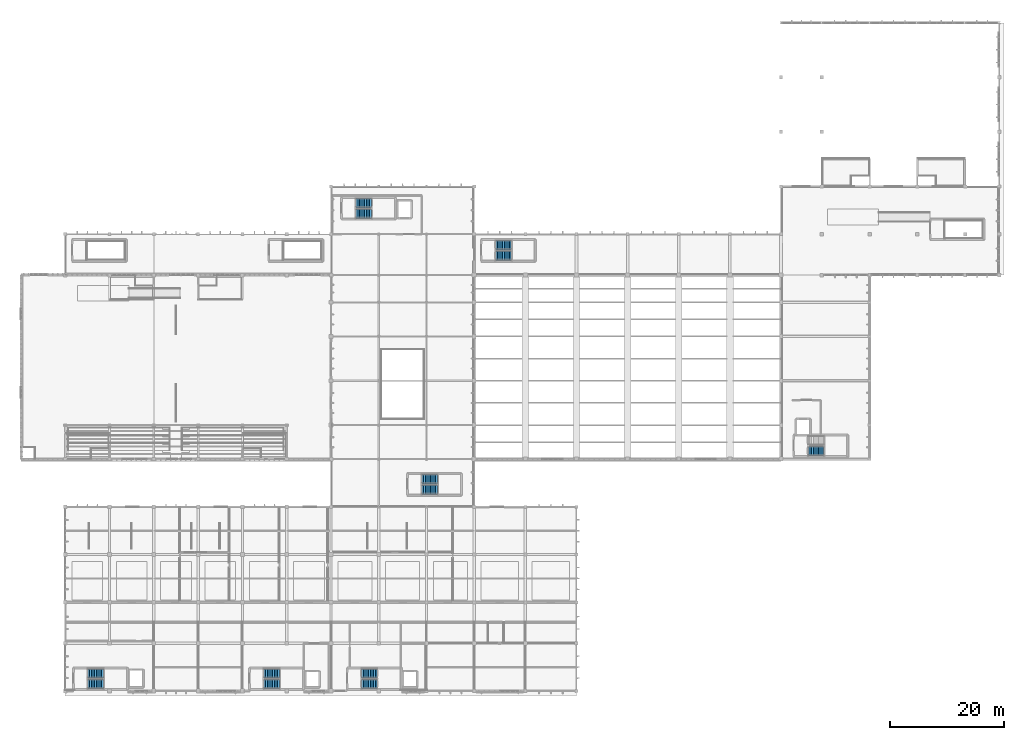
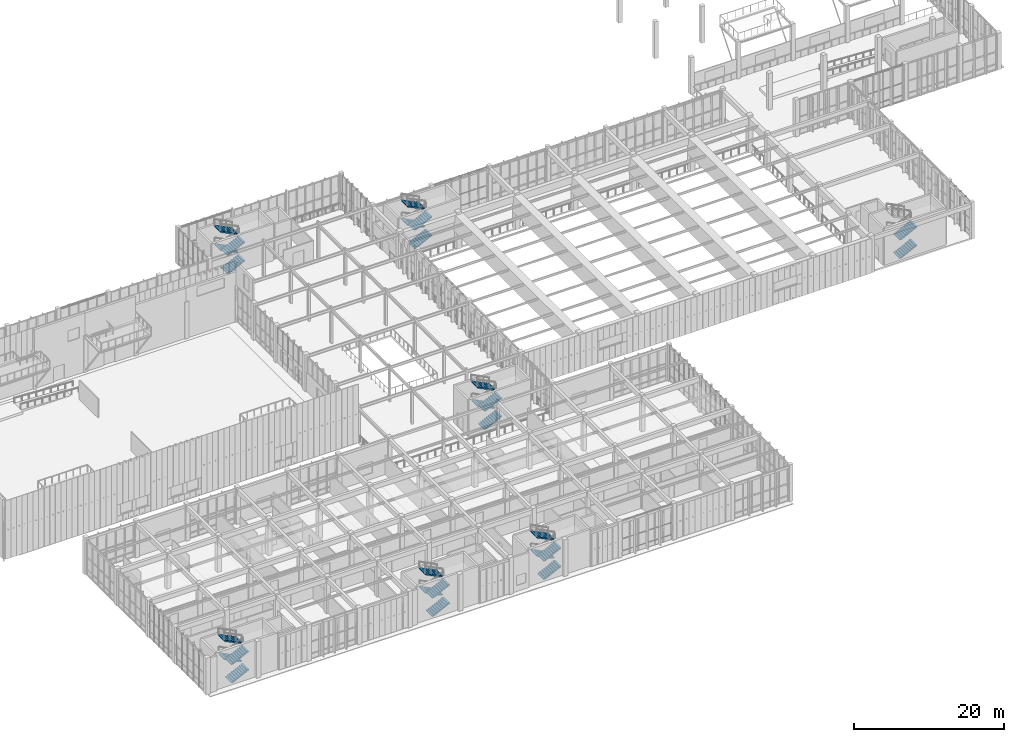
# One storey, part 78 of 105: 26 stair flights, 7 elements without a shape of their own.
"""IFC4 building model written with IfcOpenShell, lengths in metres."""

from ifc_helpers import new_model, si_unit, direction, frame, origin, place, context, subcontext, project, spatial, polyline, outline, extrude, material, type_object, element, aggregate, save


model = new_model("IFC4")

# Units and contexts
model_context = context("Model", 3, precision=1e-05, world=origin(), true_north=direction((0.0, 1.0)))
body_context = subcontext(model_context, "Body", "Model", "MODEL_VIEW")
ifc_project = project(units=[si_unit("LENGTHUNIT", "METRE"), si_unit("AREAUNIT", "SQUARE_METRE"), si_unit("VOLUMEUNIT", "CUBIC_METRE"), si_unit("PLANEANGLEUNIT", "RADIAN"), si_unit("MASSUNIT", "GRAM", prefix="KILO")], contexts=[model_context])

# Site, building, storey
site_placement = place(None, origin())
site = spatial("IfcSite", under=ifc_project, at=site_placement, CompositionType="ELEMENT")
building_placement = place(site_placement, origin())
building = spatial("IfcBuilding", under=site, at=building_placement, Name="Tizgana Railside Sports Hall", CompositionType="ELEMENT")
storey_placement = place(building_placement, frame((0.0, 0.0, 6.0)))
storey = spatial("IfcBuildingStorey", under=building, at=storey_placement, Name="L01", CompositionType="ELEMENT", Elevation=6.0)

# Stair, stair flights
ifc_material = material(Name="Concrete C35/45", Category="concrete")
stair_type_1 = type_object("IfcStairType", Name="Core Protected Stair 1500", PredefinedType="HALF_TURN_STAIR", material=ifc_material)
stair_1_placement = place(storey_placement, origin())
stair_1 = element("IfcStair", 1, at=stair_1_placement, inside=storey, type_object=stair_type_1, Name="L01 Core Stair ST-01", PredefinedType="HALF_TURN_STAIR")
stair_flight_type_1 = type_object("IfcStairFlightType", Name="Core Stair Flight 1500", PredefinedType="STRAIGHT", material=ifc_material)
stair_flight_1_placement = place(storey_placement, frame((11.800048828125, 1.22509765625, 0.0), z_axis=(0.0, 0.0, 1.0), x_axis=(1.0, 0.0, 0.0)))
stair_flight_1 = element("IfcStairFlight", 2, at=stair_flight_1_placement, type_object=stair_flight_type_1, Name="ST-01 flight 1", NumberOfRisers=10, NumberOfTreads=9, PredefinedType="STRAIGHT", RiserHeight=0.15, TreadLength=0.3, context=body_context, shape_type="SweptSolid", body=[
    extrude(outline(polyline([(0.0, 0.0), (0.0, 0.14990234375), (0.300048828125, 0.14990234375), (0.300048828125, 0.300048828125), (0.60009765625, 0.300048828125), (0.60009765625, 0.449951171875), (0.89990234375, 0.449951171875), (0.89990234375, 0.60009765625), (1.199951171875, 0.60009765625), (1.199951171875, 0.75), (1.5, 0.75), (1.5, 0.89990234375), (1.800048828125, 0.89990234375), (1.800048828125, 1.050048828125), (2.10009765625, 1.050048828125), (2.10009765625, 1.199951171875), (2.39990234375, 1.199951171875), (2.39990234375, 1.35009765625), (2.699951171875, 1.35009765625), (2.699951171875, 1.5), (2.699951171875, 1.182373046875), (0.335205078125, 0.0), (0.0, 0.0)])), frame((0.0, 0.824951171875, 0.0), z_axis=(0.0, -1.0, 0.0), x_axis=(1.0, 0.0, 0.0)), (0.0, 0.0, 1.0), 1.64990234375),
])
stair_flight_2_placement = place(storey_placement, frame((14.5, 3.074951171875, 1.5), z_axis=(0.0, 0.0, 1.0), x_axis=(-1.0, 0.0, 0.0)))
stair_flight_2 = element("IfcStairFlight", 3, at=stair_flight_2_placement, type_object=stair_flight_type_1, Name="ST-01 flight 2", NumberOfRisers=10, NumberOfTreads=9, PredefinedType="STRAIGHT", RiserHeight=0.15, TreadLength=0.3, context=body_context, shape_type="SweptSolid", body=[
    extrude(outline(polyline([(0.0, 0.0), (0.0, 0.14990234375), (0.300048828125, 0.14990234375), (0.300048828125, 0.300048828125), (0.60009765625, 0.300048828125), (0.60009765625, 0.449951171875), (0.89990234375, 0.449951171875), (0.89990234375, 0.60009765625), (1.199951171875, 0.60009765625), (1.199951171875, 0.75), (1.5, 0.75), (1.5, 0.89990234375), (1.800048828125, 0.89990234375), (1.800048828125, 1.050048828125), (2.10009765625, 1.050048828125), (2.10009765625, 1.199951171875), (2.39990234375, 1.199951171875), (2.39990234375, 1.35009765625), (2.699951171875, 1.35009765625), (2.699951171875, 1.5), (2.699951171875, 1.182373046875), (0.335205078125, 0.0), (0.0, 0.0)])), frame((0.0, 0.824951171875, 0.0), z_axis=(0.0, -1.0, 0.0), x_axis=(1.0, 0.0, 0.0)), (0.0, 0.0, 1.0), 1.64990234375),
])
stair_flight_3_placement = place(storey_placement, frame((11.800048828125, 1.22509765625, 3.0), z_axis=(0.0, 0.0, 1.0), x_axis=(1.0, 0.0, 0.0)))
stair_flight_3 = element("IfcStairFlight", 4, at=stair_flight_3_placement, type_object=stair_flight_type_1, Name="ST-01 flight 3", NumberOfRisers=10, NumberOfTreads=9, PredefinedType="STRAIGHT", RiserHeight=0.15, TreadLength=0.3, context=body_context, shape_type="SweptSolid", body=[
    extrude(outline(polyline([(0.0, 0.0), (0.0, 0.14990234375), (0.300048828125, 0.14990234375), (0.300048828125, 0.300048828125), (0.60009765625, 0.300048828125), (0.60009765625, 0.449951171875), (0.89990234375, 0.449951171875), (0.89990234375, 0.60009765625), (1.199951171875, 0.60009765625), (1.199951171875, 0.75), (1.5, 0.75), (1.5, 0.89990234375), (1.800048828125, 0.89990234375), (1.800048828125, 1.050048828125), (2.10009765625, 1.050048828125), (2.10009765625, 1.199951171875), (2.39990234375, 1.199951171875), (2.39990234375, 1.35009765625), (2.699951171875, 1.35009765625), (2.699951171875, 1.5), (2.699951171875, 1.182373046875), (0.335205078125, 0.0), (0.0, 0.0)])), frame((0.0, 0.824951171875, 0.0), z_axis=(0.0, -1.0, 0.0), x_axis=(1.0, 0.0, 0.0)), (0.0, 0.0, 1.0), 1.64990234375),
])
stair_flight_4_placement = place(storey_placement, frame((14.5, 3.074951171875, 4.5), z_axis=(0.0, 0.0, 1.0), x_axis=(-1.0, 0.0, 0.0)))
stair_flight_4 = element("IfcStairFlight", 5, at=stair_flight_4_placement, type_object=stair_flight_type_1, Name="ST-01 flight 4", NumberOfRisers=10, NumberOfTreads=9, PredefinedType="STRAIGHT", RiserHeight=0.15, TreadLength=0.3, context=body_context, shape_type="SweptSolid", body=[
    extrude(outline(polyline([(0.0, 0.0), (0.0, 0.14990234375), (0.300048828125, 0.14990234375), (0.300048828125, 0.300048828125), (0.60009765625, 0.300048828125), (0.60009765625, 0.449951171875), (0.89990234375, 0.449951171875), (0.89990234375, 0.60009765625), (1.199951171875, 0.60009765625), (1.199951171875, 0.75), (1.5, 0.75), (1.5, 0.89990234375), (1.800048828125, 0.89990234375), (1.800048828125, 1.050048828125), (2.10009765625, 1.050048828125), (2.10009765625, 1.199951171875), (2.39990234375, 1.199951171875), (2.39990234375, 1.35009765625), (2.699951171875, 1.35009765625), (2.699951171875, 1.5), (2.699951171875, 1.182373046875), (0.335205078125, 0.0), (0.0, 0.0)])), frame((0.0, 0.824951171875, 0.0), z_axis=(0.0, -1.0, 0.0), x_axis=(1.0, 0.0, 0.0)), (0.0, 0.0, 1.0), 1.64990234375),
])
aggregate(stair_1, [stair_flight_1, stair_flight_2, stair_flight_3, stair_flight_4])

stair_2_placement = place(storey_placement, origin())
stair_2 = element("IfcStair", 6, at=stair_2_placement, inside=storey, type_object=stair_type_1, Name="L01 Core Stair ST-05", PredefinedType="HALF_TURN_STAIR")
stair_flight_5_placement = place(storey_placement, frame((138.60009765625, 42.22509765625, 0.0), z_axis=(0.0, 0.0, 1.0), x_axis=(1.0, 0.0, 0.0)))
stair_flight_5 = element("IfcStairFlight", 7, at=stair_flight_5_placement, type_object=stair_flight_type_1, Name="ST-05 flight 1", NumberOfRisers=10, NumberOfTreads=9, PredefinedType="STRAIGHT", RiserHeight=0.15, TreadLength=0.3, context=body_context, shape_type="SweptSolid", body=[
    extrude(outline(polyline([(0.0, 0.0), (0.0, 0.14990234375), (0.300048828125, 0.14990234375), (0.300048828125, 0.300048828125), (0.60009765625, 0.300048828125), (0.60009765625, 0.449951171875), (0.89990234375, 0.449951171875), (0.89990234375, 0.60009765625), (1.199951171875, 0.60009765625), (1.199951171875, 0.75), (1.5, 0.75), (1.5, 0.89990234375), (1.800048828125, 0.89990234375), (1.800048828125, 1.050048828125), (2.10009765625, 1.050048828125), (2.10009765625, 1.199951171875), (2.39990234375, 1.199951171875), (2.39990234375, 1.35009765625), (2.699951171875, 1.35009765625), (2.699951171875, 1.5), (2.699951171875, 1.182373046875), (0.335205078125, 0.0), (0.0, 0.0)])), frame((0.0, 0.824951171875, 0.0), z_axis=(0.0, -1.0, 0.0), x_axis=(1.0, 0.0, 0.0)), (0.0, 0.0, 1.0), 1.64990234375),
])
stair_flight_6_placement = place(storey_placement, frame((138.60009765625, 42.22509765625, 3.0), z_axis=(0.0, 0.0, 1.0), x_axis=(1.0, 0.0, 0.0)))
stair_flight_6 = element("IfcStairFlight", 8, at=stair_flight_6_placement, type_object=stair_flight_type_1, Name="ST-05 flight 3", NumberOfRisers=10, NumberOfTreads=9, PredefinedType="STRAIGHT", RiserHeight=0.15, TreadLength=0.3, context=body_context, shape_type="SweptSolid", body=[
    extrude(outline(polyline([(0.0, 0.0), (0.0, 0.14990234375), (0.300048828125, 0.14990234375), (0.300048828125, 0.300048828125), (0.60009765625, 0.300048828125), (0.60009765625, 0.449951171875), (0.89990234375, 0.449951171875), (0.89990234375, 0.60009765625), (1.199951171875, 0.60009765625), (1.199951171875, 0.75), (1.5, 0.75), (1.5, 0.89990234375), (1.800048828125, 0.89990234375), (1.800048828125, 1.050048828125), (2.10009765625, 1.050048828125), (2.10009765625, 1.199951171875), (2.39990234375, 1.199951171875), (2.39990234375, 1.35009765625), (2.699951171875, 1.35009765625), (2.699951171875, 1.5), (2.699951171875, 1.182373046875), (0.335205078125, 0.0), (0.0, 0.0)])), frame((0.0, 0.824951171875, 0.0), z_axis=(0.0, -1.0, 0.0), x_axis=(1.0, 0.0, 0.0)), (0.0, 0.0, 1.0), 1.64990234375),
])
aggregate(stair_2, [stair_flight_5, stair_flight_6])

stair_type_2 = type_object("IfcStairType", Name="Concourse Feature Stair 1800", PredefinedType="HALF_TURN_STAIR", material=ifc_material)
stair_3_placement = place(storey_placement, origin())
stair_3 = element("IfcStair", 9, at=stair_3_placement, inside=storey, type_object=stair_type_2, Name="L01 Core Stair ST-04", PredefinedType="HALF_TURN_STAIR")
stair_flight_type_2 = type_object("IfcStairFlightType", Name="Feature Stair Flight 1800", PredefinedType="STRAIGHT", material=ifc_material)
stair_flight_7_placement = place(storey_placement, frame((59.0, 84.02490234375, 0.0), z_axis=(0.0, 0.0, 1.0), x_axis=(1.0, 0.0, 0.0)))
stair_flight_7 = element("IfcStairFlight", 10, at=stair_flight_7_placement, type_object=stair_flight_type_2, Name="ST-04 flight 1", NumberOfRisers=10, NumberOfTreads=9, PredefinedType="STRAIGHT", RiserHeight=0.15, TreadLength=0.3, context=body_context, shape_type="SweptSolid", body=[
    extrude(outline(polyline([(0.0, 0.0), (0.0, 0.14990234375), (0.300048828125, 0.14990234375), (0.300048828125, 0.300048828125), (0.60009765625, 0.300048828125), (0.60009765625, 0.449951171875), (0.89990234375, 0.449951171875), (0.89990234375, 0.60009765625), (1.199951171875, 0.60009765625), (1.199951171875, 0.75), (1.5, 0.75), (1.5, 0.89990234375), (1.800048828125, 0.89990234375), (1.800048828125, 1.050048828125), (2.10009765625, 1.050048828125), (2.10009765625, 1.199951171875), (2.39990234375, 1.199951171875), (2.39990234375, 1.35009765625), (2.699951171875, 1.35009765625), (2.699951171875, 1.5), (2.699951171875, 1.182373046875), (0.335205078125, 0.0), (0.0, 0.0)])), frame((0.0, 0.824951171875, 0.0), z_axis=(0.0, -1.0, 0.0), x_axis=(1.0, 0.0, 0.0)), (0.0, 0.0, 1.0), 1.64990234375),
])
stair_flight_8_placement = place(storey_placement, frame((61.699951171875, 85.875, 1.5), z_axis=(0.0, 0.0, 1.0), x_axis=(-1.0, 0.0, 0.0)))
stair_flight_8 = element("IfcStairFlight", 11, at=stair_flight_8_placement, type_object=stair_flight_type_2, Name="ST-04 flight 2", NumberOfRisers=10, NumberOfTreads=9, PredefinedType="STRAIGHT", RiserHeight=0.15, TreadLength=0.3, context=body_context, shape_type="SweptSolid", body=[
    extrude(outline(polyline([(0.0, 0.0), (0.0, 0.14990234375), (0.300048828125, 0.14990234375), (0.300048828125, 0.300048828125), (0.60009765625, 0.300048828125), (0.60009765625, 0.449951171875), (0.89990234375, 0.449951171875), (0.89990234375, 0.60009765625), (1.199951171875, 0.60009765625), (1.199951171875, 0.75), (1.5, 0.75), (1.5, 0.89990234375), (1.800048828125, 0.89990234375), (1.800048828125, 1.050048828125), (2.10009765625, 1.050048828125), (2.10009765625, 1.199951171875), (2.39990234375, 1.199951171875), (2.39990234375, 1.35009765625), (2.699951171875, 1.35009765625), (2.699951171875, 1.5), (2.699951171875, 1.182373046875), (0.335205078125, 0.0), (0.0, 0.0)])), frame((0.0, 0.824951171875, 0.0), z_axis=(0.0, -1.0, 0.0), x_axis=(1.0, 0.0, 0.0)), (0.0, 0.0, 1.0), 1.64990234375),
])
stair_flight_9_placement = place(storey_placement, frame((59.0, 84.02490234375, 3.0), z_axis=(0.0, 0.0, 1.0), x_axis=(1.0, 0.0, 0.0)))
stair_flight_9 = element("IfcStairFlight", 12, at=stair_flight_9_placement, type_object=stair_flight_type_2, Name="ST-04 flight 3", NumberOfRisers=10, NumberOfTreads=9, PredefinedType="STRAIGHT", RiserHeight=0.15, TreadLength=0.3, context=body_context, shape_type="SweptSolid", body=[
    extrude(outline(polyline([(0.0, 0.0), (0.0, 0.14990234375), (0.300048828125, 0.14990234375), (0.300048828125, 0.300048828125), (0.60009765625, 0.300048828125), (0.60009765625, 0.449951171875), (0.89990234375, 0.449951171875), (0.89990234375, 0.60009765625), (1.199951171875, 0.60009765625), (1.199951171875, 0.75), (1.5, 0.75), (1.5, 0.89990234375), (1.800048828125, 0.89990234375), (1.800048828125, 1.050048828125), (2.10009765625, 1.050048828125), (2.10009765625, 1.199951171875), (2.39990234375, 1.199951171875), (2.39990234375, 1.35009765625), (2.699951171875, 1.35009765625), (2.699951171875, 1.5), (2.699951171875, 1.182373046875), (0.335205078125, 0.0), (0.0, 0.0)])), frame((0.0, 0.824951171875, 0.0), z_axis=(0.0, -1.0, 0.0), x_axis=(1.0, 0.0, 0.0)), (0.0, 0.0, 1.0), 1.64990234375),
])
stair_flight_10_placement = place(storey_placement, frame((61.699951171875, 85.875, 4.5), z_axis=(0.0, 0.0, 1.0), x_axis=(-1.0, 0.0, 0.0)))
stair_flight_10 = element("IfcStairFlight", 13, at=stair_flight_10_placement, type_object=stair_flight_type_2, Name="ST-04 flight 4", NumberOfRisers=10, NumberOfTreads=9, PredefinedType="STRAIGHT", RiserHeight=0.15, TreadLength=0.3, context=body_context, shape_type="SweptSolid", body=[
    extrude(outline(polyline([(0.0, 0.0), (0.0, 0.14990234375), (0.300048828125, 0.14990234375), (0.300048828125, 0.300048828125), (0.60009765625, 0.300048828125), (0.60009765625, 0.449951171875), (0.89990234375, 0.449951171875), (0.89990234375, 0.60009765625), (1.199951171875, 0.60009765625), (1.199951171875, 0.75), (1.5, 0.75), (1.5, 0.89990234375), (1.800048828125, 0.89990234375), (1.800048828125, 1.050048828125), (2.10009765625, 1.050048828125), (2.10009765625, 1.199951171875), (2.39990234375, 1.199951171875), (2.39990234375, 1.35009765625), (2.699951171875, 1.35009765625), (2.699951171875, 1.5), (2.699951171875, 1.182373046875), (0.335205078125, 0.0), (0.0, 0.0)])), frame((0.0, 0.824951171875, 0.0), z_axis=(0.0, -1.0, 0.0), x_axis=(1.0, 0.0, 0.0)), (0.0, 0.0, 1.0), 1.64990234375),
])
aggregate(stair_3, [stair_flight_7, stair_flight_8, stair_flight_9, stair_flight_10])

stair_4_placement = place(storey_placement, origin())
stair_4 = element("IfcStair", 14, at=stair_4_placement, inside=storey, type_object=stair_type_2, Name="L01 Core Stair ST-08", PredefinedType="HALF_TURN_STAIR")
stair_flight_11_placement = place(storey_placement, frame((83.60009765625, 76.625, 0.0), z_axis=(0.0, 0.0, 1.0), x_axis=(1.0, 0.0, 0.0)))
stair_flight_11 = element("IfcStairFlight", 15, at=stair_flight_11_placement, type_object=stair_flight_type_2, Name="ST-08 flight 1", NumberOfRisers=10, NumberOfTreads=9, PredefinedType="STRAIGHT", RiserHeight=0.15, TreadLength=0.3, context=body_context, shape_type="SweptSolid", body=[
    extrude(outline(polyline([(0.0, 0.0), (0.0, 0.14990234375), (0.300048828125, 0.14990234375), (0.300048828125, 0.300048828125), (0.60009765625, 0.300048828125), (0.60009765625, 0.449951171875), (0.89990234375, 0.449951171875), (0.89990234375, 0.60009765625), (1.199951171875, 0.60009765625), (1.199951171875, 0.75), (1.5, 0.75), (1.5, 0.89990234375), (1.800048828125, 0.89990234375), (1.800048828125, 1.050048828125), (2.10009765625, 1.050048828125), (2.10009765625, 1.199951171875), (2.39990234375, 1.199951171875), (2.39990234375, 1.35009765625), (2.699951171875, 1.35009765625), (2.699951171875, 1.5), (2.699951171875, 1.182373046875), (0.335205078125, 0.0), (0.0, 0.0)])), frame((0.0, 0.824951171875, 0.0), z_axis=(0.0, -1.0, 0.0), x_axis=(1.0, 0.0, 0.0)), (0.0, 0.0, 1.0), 1.64990234375),
])
stair_flight_12_placement = place(storey_placement, frame((86.300048828125, 78.47509765625, 1.5), z_axis=(0.0, 0.0, 1.0), x_axis=(-1.0, 0.0, 0.0)))
stair_flight_12 = element("IfcStairFlight", 16, at=stair_flight_12_placement, type_object=stair_flight_type_2, Name="ST-08 flight 2", NumberOfRisers=10, NumberOfTreads=9, PredefinedType="STRAIGHT", RiserHeight=0.15, TreadLength=0.3, context=body_context, shape_type="SweptSolid", body=[
    extrude(outline(polyline([(0.0, 0.0), (0.0, 0.14990234375), (0.300048828125, 0.14990234375), (0.300048828125, 0.300048828125), (0.60009765625, 0.300048828125), (0.60009765625, 0.449951171875), (0.89990234375, 0.449951171875), (0.89990234375, 0.60009765625), (1.199951171875, 0.60009765625), (1.199951171875, 0.75), (1.5, 0.75), (1.5, 0.89990234375), (1.800048828125, 0.89990234375), (1.800048828125, 1.050048828125), (2.10009765625, 1.050048828125), (2.10009765625, 1.199951171875), (2.39990234375, 1.199951171875), (2.39990234375, 1.35009765625), (2.699951171875, 1.35009765625), (2.699951171875, 1.5), (2.699951171875, 1.182373046875), (0.335205078125, 0.0), (0.0, 0.0)])), frame((0.0, 0.824951171875, 0.0), z_axis=(0.0, -1.0, 0.0), x_axis=(1.0, 0.0, 0.0)), (0.0, 0.0, 1.0), 1.64990234375),
])
stair_flight_13_placement = place(storey_placement, frame((83.60009765625, 76.625, 3.0), z_axis=(0.0, 0.0, 1.0), x_axis=(1.0, 0.0, 0.0)))
stair_flight_13 = element("IfcStairFlight", 17, at=stair_flight_13_placement, type_object=stair_flight_type_2, Name="ST-08 flight 3", NumberOfRisers=10, NumberOfTreads=9, PredefinedType="STRAIGHT", RiserHeight=0.15, TreadLength=0.3, context=body_context, shape_type="SweptSolid", body=[
    extrude(outline(polyline([(0.0, 0.0), (0.0, 0.14990234375), (0.300048828125, 0.14990234375), (0.300048828125, 0.300048828125), (0.60009765625, 0.300048828125), (0.60009765625, 0.449951171875), (0.89990234375, 0.449951171875), (0.89990234375, 0.60009765625), (1.199951171875, 0.60009765625), (1.199951171875, 0.75), (1.5, 0.75), (1.5, 0.89990234375), (1.800048828125, 0.89990234375), (1.800048828125, 1.050048828125), (2.10009765625, 1.050048828125), (2.10009765625, 1.199951171875), (2.39990234375, 1.199951171875), (2.39990234375, 1.35009765625), (2.699951171875, 1.35009765625), (2.699951171875, 1.5), (2.699951171875, 1.182373046875), (0.335205078125, 0.0), (0.0, 0.0)])), frame((0.0, 0.824951171875, 0.0), z_axis=(0.0, -1.0, 0.0), x_axis=(1.0, 0.0, 0.0)), (0.0, 0.0, 1.0), 1.64990234375),
])
stair_flight_14_placement = place(storey_placement, frame((86.300048828125, 78.47509765625, 4.5), z_axis=(0.0, 0.0, 1.0), x_axis=(-1.0, 0.0, 0.0)))
stair_flight_14 = element("IfcStairFlight", 18, at=stair_flight_14_placement, type_object=stair_flight_type_2, Name="ST-08 flight 4", NumberOfRisers=10, NumberOfTreads=9, PredefinedType="STRAIGHT", RiserHeight=0.15, TreadLength=0.3, context=body_context, shape_type="SweptSolid", body=[
    extrude(outline(polyline([(0.0, 0.0), (0.0, 0.14990234375), (0.300048828125, 0.14990234375), (0.300048828125, 0.300048828125), (0.60009765625, 0.300048828125), (0.60009765625, 0.449951171875), (0.89990234375, 0.449951171875), (0.89990234375, 0.60009765625), (1.199951171875, 0.60009765625), (1.199951171875, 0.75), (1.5, 0.75), (1.5, 0.89990234375), (1.800048828125, 0.89990234375), (1.800048828125, 1.050048828125), (2.10009765625, 1.050048828125), (2.10009765625, 1.199951171875), (2.39990234375, 1.199951171875), (2.39990234375, 1.35009765625), (2.699951171875, 1.35009765625), (2.699951171875, 1.5), (2.699951171875, 1.182373046875), (0.335205078125, 0.0), (0.0, 0.0)])), frame((0.0, 0.824951171875, 0.0), z_axis=(0.0, -1.0, 0.0), x_axis=(1.0, 0.0, 0.0)), (0.0, 0.0, 1.0), 1.64990234375),
])
aggregate(stair_4, [stair_flight_11, stair_flight_12, stair_flight_13, stair_flight_14])

stair_type_3 = type_object("IfcStairType", Name="Spectator Aisle Stair 1400", PredefinedType="HALF_TURN_STAIR", material=ifc_material)
stair_5_placement = place(storey_placement, origin())
stair_5 = element("IfcStair", 19, at=stair_5_placement, inside=storey, type_object=stair_type_3, Name="L01 Core Stair ST-03", PredefinedType="HALF_TURN_STAIR")
stair_flight_type_3 = type_object("IfcStairFlightType", Name="Spectator Stair Flight 1400", PredefinedType="STRAIGHT", material=ifc_material)
stair_flight_15_placement = place(storey_placement, frame((60.0, 1.22509765625, 0.0), z_axis=(0.0, 0.0, 1.0), x_axis=(1.0, 0.0, 0.0)))
stair_flight_15 = element("IfcStairFlight", 20, at=stair_flight_15_placement, type_object=stair_flight_type_3, Name="ST-03 flight 1", NumberOfRisers=10, NumberOfTreads=9, PredefinedType="STRAIGHT", RiserHeight=0.15, TreadLength=0.3, context=body_context, shape_type="SweptSolid", body=[
    extrude(outline(polyline([(0.0, 0.0), (0.0, 0.14990234375), (0.300048828125, 0.14990234375), (0.300048828125, 0.300048828125), (0.60009765625, 0.300048828125), (0.60009765625, 0.449951171875), (0.89990234375, 0.449951171875), (0.89990234375, 0.60009765625), (1.199951171875, 0.60009765625), (1.199951171875, 0.75), (1.5, 0.75), (1.5, 0.89990234375), (1.800048828125, 0.89990234375), (1.800048828125, 1.050048828125), (2.10009765625, 1.050048828125), (2.10009765625, 1.199951171875), (2.39990234375, 1.199951171875), (2.39990234375, 1.35009765625), (2.699951171875, 1.35009765625), (2.699951171875, 1.5), (2.699951171875, 1.182373046875), (0.335205078125, 0.0), (0.0, 0.0)])), frame((0.0, 0.824951171875, 0.0), z_axis=(0.0, -1.0, 0.0), x_axis=(1.0, 0.0, 0.0)), (0.0, 0.0, 1.0), 1.64990234375),
])
stair_flight_16_placement = place(storey_placement, frame((62.699951171875, 3.074951171875, 1.5), z_axis=(0.0, 0.0, 1.0), x_axis=(-1.0, 0.0, 0.0)))
stair_flight_16 = element("IfcStairFlight", 21, at=stair_flight_16_placement, type_object=stair_flight_type_3, Name="ST-03 flight 2", NumberOfRisers=10, NumberOfTreads=9, PredefinedType="STRAIGHT", RiserHeight=0.15, TreadLength=0.3, context=body_context, shape_type="SweptSolid", body=[
    extrude(outline(polyline([(0.0, 0.0), (0.0, 0.14990234375), (0.300048828125, 0.14990234375), (0.300048828125, 0.300048828125), (0.60009765625, 0.300048828125), (0.60009765625, 0.449951171875), (0.89990234375, 0.449951171875), (0.89990234375, 0.60009765625), (1.199951171875, 0.60009765625), (1.199951171875, 0.75), (1.5, 0.75), (1.5, 0.89990234375), (1.800048828125, 0.89990234375), (1.800048828125, 1.050048828125), (2.10009765625, 1.050048828125), (2.10009765625, 1.199951171875), (2.39990234375, 1.199951171875), (2.39990234375, 1.35009765625), (2.699951171875, 1.35009765625), (2.699951171875, 1.5), (2.699951171875, 1.182373046875), (0.335205078125, 0.0), (0.0, 0.0)])), frame((0.0, 0.824951171875, 0.0), z_axis=(0.0, -1.0, 0.0), x_axis=(1.0, 0.0, 0.0)), (0.0, 0.0, 1.0), 1.64990234375),
])
stair_flight_17_placement = place(storey_placement, frame((60.0, 1.22509765625, 3.0), z_axis=(0.0, 0.0, 1.0), x_axis=(1.0, 0.0, 0.0)))
stair_flight_17 = element("IfcStairFlight", 22, at=stair_flight_17_placement, type_object=stair_flight_type_3, Name="ST-03 flight 3", NumberOfRisers=10, NumberOfTreads=9, PredefinedType="STRAIGHT", RiserHeight=0.15, TreadLength=0.3, context=body_context, shape_type="SweptSolid", body=[
    extrude(outline(polyline([(0.0, 0.0), (0.0, 0.14990234375), (0.300048828125, 0.14990234375), (0.300048828125, 0.300048828125), (0.60009765625, 0.300048828125), (0.60009765625, 0.449951171875), (0.89990234375, 0.449951171875), (0.89990234375, 0.60009765625), (1.199951171875, 0.60009765625), (1.199951171875, 0.75), (1.5, 0.75), (1.5, 0.89990234375), (1.800048828125, 0.89990234375), (1.800048828125, 1.050048828125), (2.10009765625, 1.050048828125), (2.10009765625, 1.199951171875), (2.39990234375, 1.199951171875), (2.39990234375, 1.35009765625), (2.699951171875, 1.35009765625), (2.699951171875, 1.5), (2.699951171875, 1.182373046875), (0.335205078125, 0.0), (0.0, 0.0)])), frame((0.0, 0.824951171875, 0.0), z_axis=(0.0, -1.0, 0.0), x_axis=(1.0, 0.0, 0.0)), (0.0, 0.0, 1.0), 1.64990234375),
])
stair_flight_18_placement = place(storey_placement, frame((62.699951171875, 3.074951171875, 4.5), z_axis=(0.0, 0.0, 1.0), x_axis=(-1.0, 0.0, 0.0)))
stair_flight_18 = element("IfcStairFlight", 23, at=stair_flight_18_placement, type_object=stair_flight_type_3, Name="ST-03 flight 4", NumberOfRisers=10, NumberOfTreads=9, PredefinedType="STRAIGHT", RiserHeight=0.15, TreadLength=0.3, context=body_context, shape_type="SweptSolid", body=[
    extrude(outline(polyline([(0.0, 0.0), (0.0, 0.14990234375), (0.300048828125, 0.14990234375), (0.300048828125, 0.300048828125), (0.60009765625, 0.300048828125), (0.60009765625, 0.449951171875), (0.89990234375, 0.449951171875), (0.89990234375, 0.60009765625), (1.199951171875, 0.60009765625), (1.199951171875, 0.75), (1.5, 0.75), (1.5, 0.89990234375), (1.800048828125, 0.89990234375), (1.800048828125, 1.050048828125), (2.10009765625, 1.050048828125), (2.10009765625, 1.199951171875), (2.39990234375, 1.199951171875), (2.39990234375, 1.35009765625), (2.699951171875, 1.35009765625), (2.699951171875, 1.5), (2.699951171875, 1.182373046875), (0.335205078125, 0.0), (0.0, 0.0)])), frame((0.0, 0.824951171875, 0.0), z_axis=(0.0, -1.0, 0.0), x_axis=(1.0, 0.0, 0.0)), (0.0, 0.0, 1.0), 1.64990234375),
])
aggregate(stair_5, [stair_flight_15, stair_flight_16, stair_flight_17, stair_flight_18])

stair_type_4 = type_object("IfcStairType", Name="Tournament Court Stair 1600", PredefinedType="HALF_TURN_STAIR", material=ifc_material)
stair_6_placement = place(storey_placement, origin())
stair_6 = element("IfcStair", 24, at=stair_6_placement, inside=storey, type_object=stair_type_4, Name="L01 Core Stair ST-02", PredefinedType="HALF_TURN_STAIR")
stair_flight_type_4 = type_object("IfcStairFlightType", Name="Tournament Stair Flight 1600", PredefinedType="STRAIGHT", material=ifc_material)
stair_flight_19_placement = place(storey_placement, frame((42.800048828125, 1.22509765625, 0.0), z_axis=(0.0, 0.0, 1.0), x_axis=(1.0, 0.0, 0.0)))
stair_flight_19 = element("IfcStairFlight", 25, at=stair_flight_19_placement, type_object=stair_flight_type_4, Name="ST-02 flight 1", NumberOfRisers=10, NumberOfTreads=9, PredefinedType="STRAIGHT", RiserHeight=0.15, TreadLength=0.3, context=body_context, shape_type="SweptSolid", body=[
    extrude(outline(polyline([(0.0, 0.0), (0.0, 0.14990234375), (0.300048828125, 0.14990234375), (0.300048828125, 0.300048828125), (0.60009765625, 0.300048828125), (0.60009765625, 0.449951171875), (0.89990234375, 0.449951171875), (0.89990234375, 0.60009765625), (1.199951171875, 0.60009765625), (1.199951171875, 0.75), (1.5, 0.75), (1.5, 0.89990234375), (1.800048828125, 0.89990234375), (1.800048828125, 1.050048828125), (2.10009765625, 1.050048828125), (2.10009765625, 1.199951171875), (2.39990234375, 1.199951171875), (2.39990234375, 1.35009765625), (2.699951171875, 1.35009765625), (2.699951171875, 1.5), (2.699951171875, 1.182373046875), (0.335205078125, 0.0), (0.0, 0.0)])), frame((0.0, 0.824951171875, 0.0), z_axis=(0.0, -1.0, 0.0), x_axis=(1.0, 0.0, 0.0)), (0.0, 0.0, 1.0), 1.64990234375),
])
stair_flight_20_placement = place(storey_placement, frame((45.5, 3.074951171875, 1.5), z_axis=(0.0, 0.0, 1.0), x_axis=(-1.0, 0.0, 0.0)))
stair_flight_20 = element("IfcStairFlight", 26, at=stair_flight_20_placement, type_object=stair_flight_type_4, Name="ST-02 flight 2", NumberOfRisers=10, NumberOfTreads=9, PredefinedType="STRAIGHT", RiserHeight=0.15, TreadLength=0.3, context=body_context, shape_type="SweptSolid", body=[
    extrude(outline(polyline([(0.0, 0.0), (0.0, 0.14990234375), (0.300048828125, 0.14990234375), (0.300048828125, 0.300048828125), (0.60009765625, 0.300048828125), (0.60009765625, 0.449951171875), (0.89990234375, 0.449951171875), (0.89990234375, 0.60009765625), (1.199951171875, 0.60009765625), (1.199951171875, 0.75), (1.5, 0.75), (1.5, 0.89990234375), (1.800048828125, 0.89990234375), (1.800048828125, 1.050048828125), (2.10009765625, 1.050048828125), (2.10009765625, 1.199951171875), (2.39990234375, 1.199951171875), (2.39990234375, 1.35009765625), (2.699951171875, 1.35009765625), (2.699951171875, 1.5), (2.699951171875, 1.182373046875), (0.335205078125, 0.0), (0.0, 0.0)])), frame((0.0, 0.824951171875, 0.0), z_axis=(0.0, -1.0, 0.0), x_axis=(1.0, 0.0, 0.0)), (0.0, 0.0, 1.0), 1.64990234375),
])
stair_flight_21_placement = place(storey_placement, frame((42.800048828125, 1.22509765625, 3.0), z_axis=(0.0, 0.0, 1.0), x_axis=(1.0, 0.0, 0.0)))
stair_flight_21 = element("IfcStairFlight", 27, at=stair_flight_21_placement, type_object=stair_flight_type_4, Name="ST-02 flight 3", NumberOfRisers=10, NumberOfTreads=9, PredefinedType="STRAIGHT", RiserHeight=0.15, TreadLength=0.3, context=body_context, shape_type="SweptSolid", body=[
    extrude(outline(polyline([(0.0, 0.0), (0.0, 0.14990234375), (0.300048828125, 0.14990234375), (0.300048828125, 0.300048828125), (0.60009765625, 0.300048828125), (0.60009765625, 0.449951171875), (0.89990234375, 0.449951171875), (0.89990234375, 0.60009765625), (1.199951171875, 0.60009765625), (1.199951171875, 0.75), (1.5, 0.75), (1.5, 0.89990234375), (1.800048828125, 0.89990234375), (1.800048828125, 1.050048828125), (2.10009765625, 1.050048828125), (2.10009765625, 1.199951171875), (2.39990234375, 1.199951171875), (2.39990234375, 1.35009765625), (2.699951171875, 1.35009765625), (2.699951171875, 1.5), (2.699951171875, 1.182373046875), (0.335205078125, 0.0), (0.0, 0.0)])), frame((0.0, 0.824951171875, 0.0), z_axis=(0.0, -1.0, 0.0), x_axis=(1.0, 0.0, 0.0)), (0.0, 0.0, 1.0), 1.64990234375),
])
stair_flight_22_placement = place(storey_placement, frame((45.5, 3.074951171875, 4.5), z_axis=(0.0, 0.0, 1.0), x_axis=(-1.0, 0.0, 0.0)))
stair_flight_22 = element("IfcStairFlight", 28, at=stair_flight_22_placement, type_object=stair_flight_type_4, Name="ST-02 flight 4", NumberOfRisers=10, NumberOfTreads=9, PredefinedType="STRAIGHT", RiserHeight=0.15, TreadLength=0.3, context=body_context, shape_type="SweptSolid", body=[
    extrude(outline(polyline([(0.0, 0.0), (0.0, 0.14990234375), (0.300048828125, 0.14990234375), (0.300048828125, 0.300048828125), (0.60009765625, 0.300048828125), (0.60009765625, 0.449951171875), (0.89990234375, 0.449951171875), (0.89990234375, 0.60009765625), (1.199951171875, 0.60009765625), (1.199951171875, 0.75), (1.5, 0.75), (1.5, 0.89990234375), (1.800048828125, 0.89990234375), (1.800048828125, 1.050048828125), (2.10009765625, 1.050048828125), (2.10009765625, 1.199951171875), (2.39990234375, 1.199951171875), (2.39990234375, 1.35009765625), (2.699951171875, 1.35009765625), (2.699951171875, 1.5), (2.699951171875, 1.182373046875), (0.335205078125, 0.0), (0.0, 0.0)])), frame((0.0, 0.824951171875, 0.0), z_axis=(0.0, -1.0, 0.0), x_axis=(1.0, 0.0, 0.0)), (0.0, 0.0, 1.0), 1.64990234375),
])
aggregate(stair_6, [stair_flight_19, stair_flight_20, stair_flight_21, stair_flight_22])

stair_7_placement = place(storey_placement, origin())
stair_7 = element("IfcStair", 29, at=stair_7_placement, inside=storey, type_object=stair_type_4, Name="L01 Core Stair ST-10", PredefinedType="HALF_TURN_STAIR")
stair_flight_23_placement = place(storey_placement, frame((70.60009765625, 35.425048828125, 0.0), z_axis=(0.0, 0.0, 1.0), x_axis=(1.0, 0.0, 0.0)))
stair_flight_23 = element("IfcStairFlight", 30, at=stair_flight_23_placement, type_object=stair_flight_type_4, Name="ST-10 flight 1", NumberOfRisers=10, NumberOfTreads=9, PredefinedType="STRAIGHT", RiserHeight=0.15, TreadLength=0.3, context=body_context, shape_type="SweptSolid", body=[
    extrude(outline(polyline([(0.0, 0.0), (0.0, 0.14990234375), (0.300048828125, 0.14990234375), (0.300048828125, 0.300048828125), (0.60009765625, 0.300048828125), (0.60009765625, 0.449951171875), (0.89990234375, 0.449951171875), (0.89990234375, 0.60009765625), (1.199951171875, 0.60009765625), (1.199951171875, 0.75), (1.5, 0.75), (1.5, 0.89990234375), (1.800048828125, 0.89990234375), (1.800048828125, 1.050048828125), (2.10009765625, 1.050048828125), (2.10009765625, 1.199951171875), (2.39990234375, 1.199951171875), (2.39990234375, 1.35009765625), (2.699951171875, 1.35009765625), (2.699951171875, 1.5), (2.699951171875, 1.182373046875), (0.335205078125, 0.0), (0.0, 0.0)])), frame((0.0, 0.824951171875, 0.0), z_axis=(0.0, -1.0, 0.0), x_axis=(1.0, 0.0, 0.0)), (0.0, 0.0, 1.0), 1.64990234375),
])
stair_flight_24_placement = place(storey_placement, frame((73.300048828125, 37.27490234375, 1.5), z_axis=(0.0, 0.0, 1.0), x_axis=(-1.0, 0.0, 0.0)))
stair_flight_24 = element("IfcStairFlight", 31, at=stair_flight_24_placement, type_object=stair_flight_type_4, Name="ST-10 flight 2", NumberOfRisers=10, NumberOfTreads=9, PredefinedType="STRAIGHT", RiserHeight=0.15, TreadLength=0.3, context=body_context, shape_type="SweptSolid", body=[
    extrude(outline(polyline([(0.0, 0.0), (0.0, 0.14990234375), (0.300048828125, 0.14990234375), (0.300048828125, 0.300048828125), (0.60009765625, 0.300048828125), (0.60009765625, 0.449951171875), (0.89990234375, 0.449951171875), (0.89990234375, 0.60009765625), (1.199951171875, 0.60009765625), (1.199951171875, 0.75), (1.5, 0.75), (1.5, 0.89990234375), (1.800048828125, 0.89990234375), (1.800048828125, 1.050048828125), (2.10009765625, 1.050048828125), (2.10009765625, 1.199951171875), (2.39990234375, 1.199951171875), (2.39990234375, 1.35009765625), (2.699951171875, 1.35009765625), (2.699951171875, 1.5), (2.699951171875, 1.182373046875), (0.335205078125, 0.0), (0.0, 0.0)])), frame((0.0, 0.824951171875, 0.0), z_axis=(0.0, -1.0, 0.0), x_axis=(1.0, 0.0, 0.0)), (0.0, 0.0, 1.0), 1.64990234375),
])
stair_flight_25_placement = place(storey_placement, frame((70.60009765625, 35.425048828125, 3.0), z_axis=(0.0, 0.0, 1.0), x_axis=(1.0, 0.0, 0.0)))
stair_flight_25 = element("IfcStairFlight", 32, at=stair_flight_25_placement, type_object=stair_flight_type_4, Name="ST-10 flight 3", NumberOfRisers=10, NumberOfTreads=9, PredefinedType="STRAIGHT", RiserHeight=0.15, TreadLength=0.3, context=body_context, shape_type="SweptSolid", body=[
    extrude(outline(polyline([(0.0, 0.0), (0.0, 0.14990234375), (0.300048828125, 0.14990234375), (0.300048828125, 0.300048828125), (0.60009765625, 0.300048828125), (0.60009765625, 0.449951171875), (0.89990234375, 0.449951171875), (0.89990234375, 0.60009765625), (1.199951171875, 0.60009765625), (1.199951171875, 0.75), (1.5, 0.75), (1.5, 0.89990234375), (1.800048828125, 0.89990234375), (1.800048828125, 1.050048828125), (2.10009765625, 1.050048828125), (2.10009765625, 1.199951171875), (2.39990234375, 1.199951171875), (2.39990234375, 1.35009765625), (2.699951171875, 1.35009765625), (2.699951171875, 1.5), (2.699951171875, 1.182373046875), (0.335205078125, 0.0), (0.0, 0.0)])), frame((0.0, 0.824951171875, 0.0), z_axis=(0.0, -1.0, 0.0), x_axis=(1.0, 0.0, 0.0)), (0.0, 0.0, 1.0), 1.64990234375),
])
stair_flight_26_placement = place(storey_placement, frame((73.300048828125, 37.27490234375, 4.5), z_axis=(0.0, 0.0, 1.0), x_axis=(-1.0, 0.0, 0.0)))
stair_flight_26 = element("IfcStairFlight", 33, at=stair_flight_26_placement, type_object=stair_flight_type_4, Name="ST-10 flight 4", NumberOfRisers=10, NumberOfTreads=9, PredefinedType="STRAIGHT", RiserHeight=0.15, TreadLength=0.3, context=body_context, shape_type="SweptSolid", body=[
    extrude(outline(polyline([(0.0, 0.0), (0.0, 0.14990234375), (0.300048828125, 0.14990234375), (0.300048828125, 0.300048828125), (0.60009765625, 0.300048828125), (0.60009765625, 0.449951171875), (0.89990234375, 0.449951171875), (0.89990234375, 0.60009765625), (1.199951171875, 0.60009765625), (1.199951171875, 0.75), (1.5, 0.75), (1.5, 0.89990234375), (1.800048828125, 0.89990234375), (1.800048828125, 1.050048828125), (2.10009765625, 1.050048828125), (2.10009765625, 1.199951171875), (2.39990234375, 1.199951171875), (2.39990234375, 1.35009765625), (2.699951171875, 1.35009765625), (2.699951171875, 1.5), (2.699951171875, 1.182373046875), (0.335205078125, 0.0), (0.0, 0.0)])), frame((0.0, 0.824951171875, 0.0), z_axis=(0.0, -1.0, 0.0), x_axis=(1.0, 0.0, 0.0)), (0.0, 0.0, 1.0), 1.64990234375),
])
aggregate(stair_7, [stair_flight_23, stair_flight_24, stair_flight_25, stair_flight_26])

save(model, "model.ifc")
